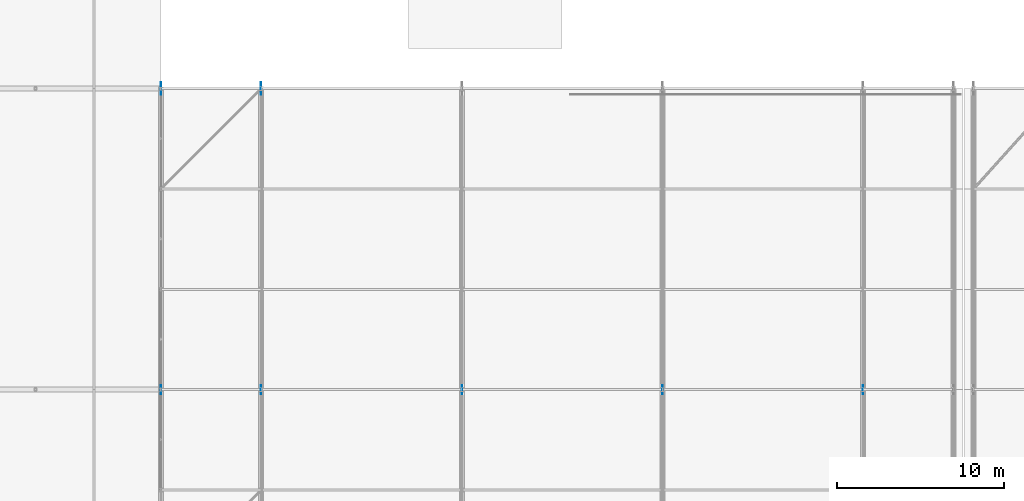
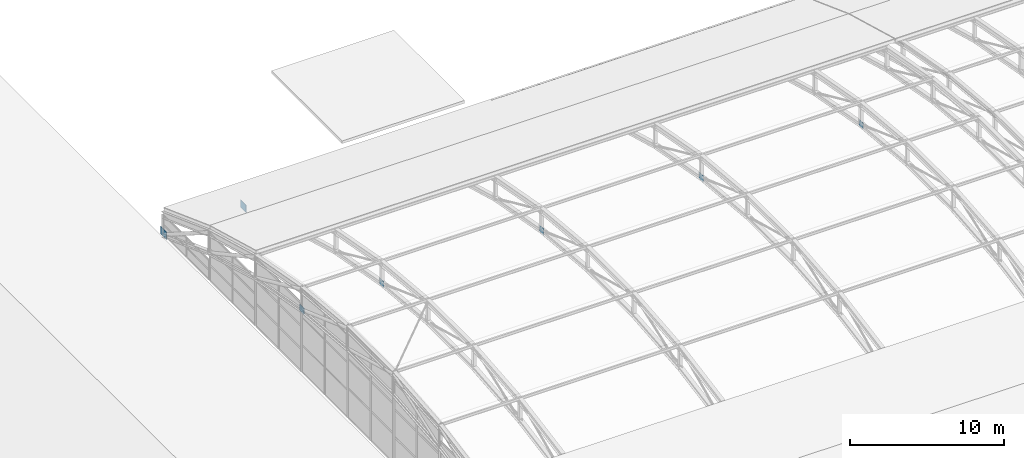
# One storey, part 173 of 204: 7 plates.
"""IFC4 building model written with IfcOpenShell, lengths in metres."""

from ifc_helpers import new_model, si_unit, direction, frame, origin, origin_2d, place, context, subcontext, project, spatial, rectangle, extrude, material, layer, layer_set, type_object, element, save


model = new_model("IFC4")

# Units and contexts
model_context = context("Model", 3, precision=1e-05, world=origin(), true_north=direction((0.0, 1.0)))
body_context = subcontext(model_context, "Body", "Model", "MODEL_VIEW")
ifc_project = project(units=[si_unit("LENGTHUNIT", "METRE"), si_unit("AREAUNIT", "SQUARE_METRE"), si_unit("VOLUMEUNIT", "CUBIC_METRE"), si_unit("PLANEANGLEUNIT", "RADIAN"), si_unit("MASSUNIT", "GRAM", prefix="KILO")], contexts=[model_context])

# Site, building, storey
site_placement = place(None, origin())
site = spatial("IfcSite", under=ifc_project, at=site_placement, CompositionType="ELEMENT")
building_placement = place(site_placement, origin())
building = spatial("IfcBuilding", under=site, at=building_placement, Name="Zilviju Railside Exhibition Hall", CompositionType="ELEMENT")
storey_placement = place(building_placement, frame((0.0, 0.0, 21.0)))
storey = spatial("IfcBuildingStorey", under=building, at=storey_placement, Name="RF", CompositionType="ELEMENT", Elevation=21.0)

# Plates
ifc_material = material(Name="Steel S355ML", Category="steel")
ifc_layer_1 = layer(ifc_material, 0.028076171875)
ifc_layer_set_1 = layer_set([ifc_layer_1], Name="Steel S355ML")
plate_type_1 = type_object("IfcPlateType", Name="PLATE-GP-28", PredefinedType="SHEET", material=ifc_layer_set_1)
for number, where, z_axis, x_axis, name in (
    (1, (78.0, 36.0, -3.072265625), (0.0, 0.0, 1.0), (1.0, 0.0, 0.0), "V1 Truss Node Gusset Plate X=78.0 N6"),
    (2, (84.0, 36.0, -3.072265625), (0.0, 0.0, 1.0), (1.0, 0.0, 0.0), "V1 Truss Node Gusset Plate X=84.0 N6"),
    (3, (96.0, 36.0, -3.072265625), (0.0, 0.0, 1.0), (1.0, 0.0, 0.0), "V1 Truss Node Gusset Plate X=96.0 N6"),
    (4, (108.0, 36.0, -3.072265625), (0.0, 0.0, 1.0), (1.0, 0.0, 0.0), "V1 Truss Node Gusset Plate X=108.0 N6"),
    (5, (120.0, 36.0, -3.072265625), (0.0, 0.0, 1.0), (1.0, 0.0, 0.0), "V1 Truss Node Gusset Plate X=120.0 N6"),
):
    element("IfcPlate", number, at=place(storey_placement, frame(where, z_axis=z_axis, x_axis=x_axis)), inside=storey, type_object=plate_type_1, Name=name, PredefinedType="SHEET", context=body_context, shape_type="SweptSolid", body=[
        extrude(rectangle(XDim=0.028076171875, YDim=0.550048828125, at=origin_2d()), origin(), (0.0, 0.0, 1.0), 0.5),
    ])
ifc_layer_2 = layer(ifc_material, 0.031982421875)
ifc_layer_set_2 = layer_set([ifc_layer_2], Name="Steel S355ML")
plate_type_2 = type_object("IfcPlateType", Name="PLATE-GP-32", PredefinedType="SHEET", material=ifc_layer_set_2)
for number, where, z_axis, x_axis, name in (
    (6, (78.0, 54.0, -7.949951171875), (0.0, 0.0, 1.0), (1.0, 0.0, 0.0), "V1 Arch Pin-Shoe Gusset Plate X=78.0"),
    (7, (84.0, 54.0, -7.949951171875), (0.0, 0.0, 1.0), (1.0, 0.0, 0.0), "V1 Arch Pin-Shoe Gusset Plate X=84.0"),
):
    element("IfcPlate", number, at=place(storey_placement, frame(where, z_axis=z_axis, x_axis=x_axis)), inside=storey, type_object=plate_type_2, Name=name, PredefinedType="SHEET", context=body_context, shape_type="SweptSolid", body=[
        extrude(rectangle(XDim=0.031982421875, YDim=0.75, at=origin_2d()), origin(), (0.0, 0.0, 1.0), 0.60009765625),
    ])

save(model, "model.ifc")
